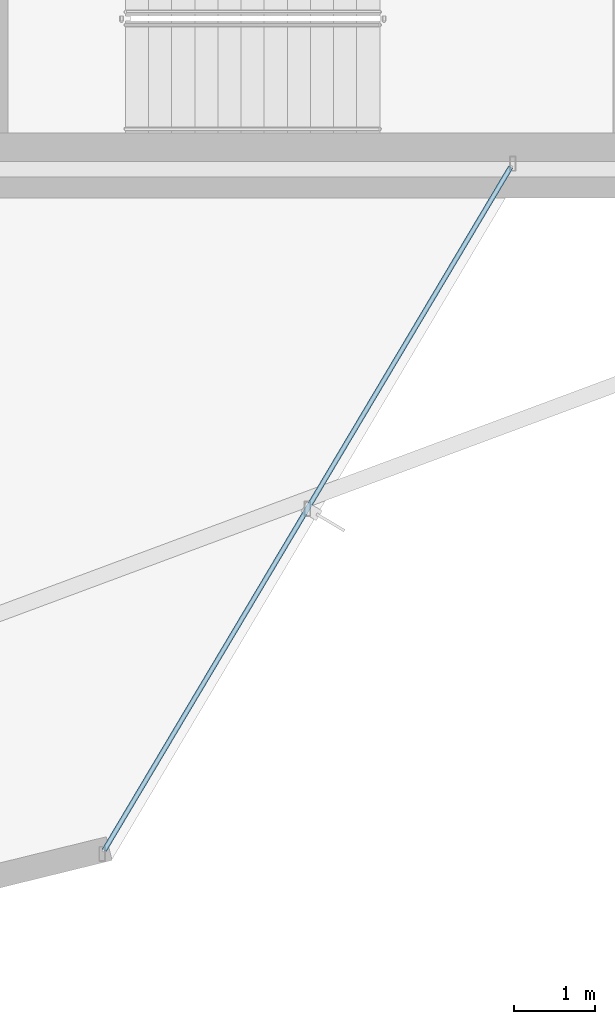
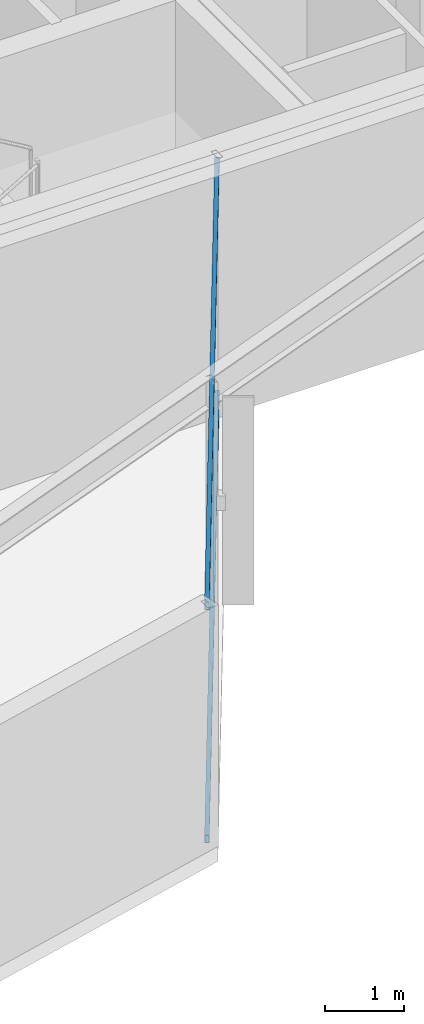
# One storey, part 7 of 23: 2 members, 1 element without a shape of its own.
"""IFC4 building model written with IfcOpenShell, lengths in metres."""

from ifc_helpers import new_model, si_unit, direction, frame, origin, origin_2d, place, context, subcontext, project, spatial, hollow_rectangle, extrude, material, layer, layer_set, material_profile, profile_set, type_object, element, aggregate, save


model = new_model("IFC4")

# Units and contexts
model_context = context("Model", 3, precision=1e-05, world=origin(), true_north=direction((0.0, 1.0)))
body_context = subcontext(model_context, "Body", "Model", "MODEL_VIEW")
ifc_project = project(units=[si_unit("LENGTHUNIT", "METRE"), si_unit("AREAUNIT", "SQUARE_METRE"), si_unit("VOLUMEUNIT", "CUBIC_METRE"), si_unit("PLANEANGLEUNIT", "RADIAN"), si_unit("MASSUNIT", "GRAM", prefix="KILO")], contexts=[model_context])

# Site, building, storey
site_placement = place(None, origin())
site = spatial("IfcSite", under=ifc_project, at=site_placement, CompositionType="ELEMENT")
building_placement = place(site_placement, origin())
building = spatial("IfcBuilding", under=site, at=building_placement, Name="Veymaron Broadcast Tower", CompositionType="ELEMENT")
storey_placement = place(building_placement, frame((0.0, 0.0, 177.60009765625)))
storey = spatial("IfcBuildingStorey", under=building, at=storey_placement, Name="L41", CompositionType="ELEMENT", Elevation=177.60009765625)

# Curtain wall, members
ifc_material_1 = material(Name="Anodised aluminium AA 6063-T6 and laminated low-E dark glass", Category="aluminium")
ifc_layer = layer(ifc_material_1, 0.179931640625)
ifc_layer_set = layer_set([ifc_layer], Name="Anodised aluminium AA 6063-T6 and laminated low-E dark glass")
curtain_wall_type = type_object("IfcCurtainWallType", Name="CW-SYS-03", PredefinedType="NOTDEFINED", material=ifc_layer_set)
curtain_wall_placement = place(storey_placement, origin())
curtain_wall = element("IfcCurtainWall", 1, at=curtain_wall_placement, inside=storey, type_object=curtain_wall_type, Name="L41 dark-glass curtain wall CW-L41-E20-1", PredefinedType="NOTDEFINED")
ifc_material_2 = material(Name="Anodised aluminium AA 6063-T6", Category="aluminium")
ifc_material_profile = material_profile(ifc_material_2, hollow_rectangle(XDim=0.06005859375, YDim=0.1201171875, WallThickness=0.00390625, at=origin_2d()), Name="AL120X60X4")
ifc_profile_set = profile_set([ifc_material_profile], Name="Anodised aluminium AA 6063-T6")
member_type = type_object("IfcMemberType", Name="CW-TRN-02", PredefinedType="USERDEFINED", material=ifc_profile_set)
member_1_placement = place(storey_placement, frame((41.16796875, 7.606689453125, 0.06982421875), z_axis=(0.511275359493, 0.859416957463, 0.0), x_axis=(-0.859416957463, 0.511275359493, 0.0)))
member_1 = element("IfcMember", 2, at=member_1_placement, type_object=member_type, Name="CW-L41-E20-1 transom B", ObjectType="TRANSOM", PredefinedType="USERDEFINED", context=body_context, shape_type="SweptSolid", body=[
    extrude(hollow_rectangle(XDim=0.06005859375, YDim=0.1201171875, WallThickness=0.00390625, at=origin_2d()), origin(), (0.0, 0.0, 1.0), 9.799560546875),
])
member_2_placement = place(storey_placement, frame((41.16796875, 7.606689453125, 3.659912109375), z_axis=(0.511275359493, 0.859416957463, 0.0), x_axis=(-0.859416957463, 0.511275359493, 0.0)))
member_2 = element("IfcMember", 3, at=member_2_placement, type_object=member_type, Name="CW-L41-E20-1 transom T", ObjectType="TRANSOM", PredefinedType="USERDEFINED", context=body_context, shape_type="SweptSolid", body=[
    extrude(hollow_rectangle(XDim=0.06005859375, YDim=0.1201171875, WallThickness=0.00390625, at=origin_2d()), origin(), (0.0, 0.0, 1.0), 9.799560546875),
])
aggregate(curtain_wall, [member_1, member_2])

save(model, "model.ifc")
